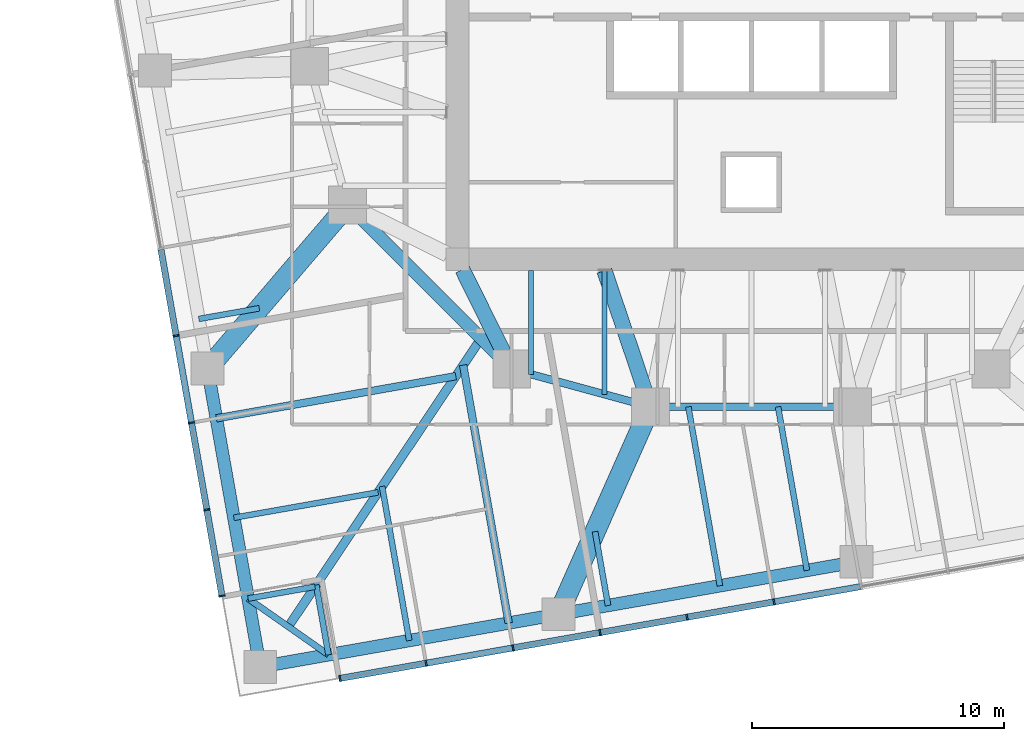
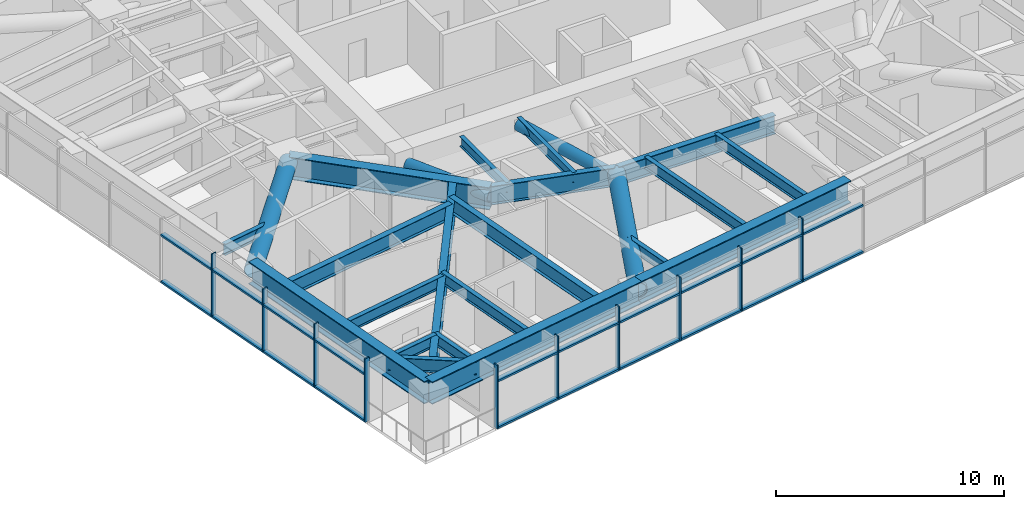
# One storey, part 2 of 17: 34 members, 20 beams, 2 elements without a shape of their own.
"""IFC4 building model written with IfcOpenShell, lengths in metres."""

import ifcopenshell
import ifcopenshell.guid

model = None  # the IFC model being written
_history = None  # IfcOwnerHistory: only IFC2X3 demands one
_inside = {}  # id of a spatial element -> (the spatial element, [elements in it])
_under = {}  # id of a project, library or spatial element -> (it, [spatial elements below it])
_declared = {}  # id of a project -> (the project, [libraries it declares])
_typed = {}  # id of a type object -> (the type object, [elements of that type])
_made_of = {}  # id of a material, layer set ... -> (it, [elements and type objects made of it])


def new_model(schema):
    """Start an empty IFC model of exactly this schema.

    Asked for "IFC4X3", IfcOpenShell would pick the latest addendum, in which some entities
    have other attributes; the version numbers below select the first issue.
    IFC2X3 requires an IfcOwnerHistory on every rooted entity: one is made here for all.
    """
    global model, _history
    if schema == "IFC4X3":
        model = ifcopenshell.file(schema_version=(4, 3, 0, 0))
    else:
        model = ifcopenshell.file(schema=schema)
    _inside.clear()
    _under.clear()
    _declared.clear()
    _typed.clear()
    _made_of.clear()
    _history = None
    if model.schema == "IFC2X3":
        org = make("IfcOrganization", Name="unknown")
        user = make(
            "IfcPersonAndOrganization",
            ThePerson=make("IfcPerson", FamilyName="unknown"),
            TheOrganization=org,
        )
        app = make(
            "IfcApplication",
            ApplicationDeveloper=org,
            Version="unknown",
            ApplicationFullName="unknown",
            ApplicationIdentifier="unknown",
        )
        _history = make(
            "IfcOwnerHistory",
            OwningUser=user,
            OwningApplication=app,
            ChangeAction="ADDED",
            CreationDate=0,
        )
    return model


def make(cls, **values):
    """One entity of the class cls with the attributes given. An attribute that is None is left unset."""
    return model.create_entity(
        cls, **{name: value for name, value in values.items() if value is not None}
    )


def rooted(cls, **values):
    """An entity with a GlobalId (a new one), such as an element, a storey or a relation."""
    return make(cls, GlobalId=ifcopenshell.guid.new(), OwnerHistory=_history, **values)


def si_unit(unit_type, name, prefix=None):
    """IfcSIUnit, for example si_unit("LENGTHUNIT", "METRE", prefix="MILLI")."""
    return make("IfcSIUnit", UnitType=unit_type, Prefix=prefix, Name=name)


def assignment(units):
    """IfcUnitAssignment: the units of a project."""
    return None if units is None else make("IfcUnitAssignment", Units=units)


def point(xyz):
    """IfcCartesianPoint."""
    return None if xyz is None else make("IfcCartesianPoint", Coordinates=xyz)


def direction(xyz):
    """IfcDirection."""
    return None if xyz is None else make("IfcDirection", DirectionRatios=xyz)


def frame(location, z_axis=None, x_axis=None):
    """IfcAxis2Placement3D, a coordinate frame: its origin and axes. An axis left out is left unset."""
    return make(
        "IfcAxis2Placement3D",
        Location=point(location),
        Axis=direction(z_axis),
        RefDirection=direction(x_axis),
    )


def frame_2d(location, x_axis=None):
    """IfcAxis2Placement2D, a coordinate frame in the plane: its origin and x axis."""
    return make(
        "IfcAxis2Placement2D", Location=point(location), RefDirection=direction(x_axis)
    )


def origin():
    """The frame at (0, 0, 0) with its axes left unset."""
    return frame((0.0, 0.0, 0.0))


def origin_2d():
    """The frame at (0, 0) in the plane with its x axis left unset."""
    return frame_2d((0.0, 0.0))


def place(relative_to, where):
    """IfcLocalPlacement: puts the frame where relative to a parent placement (None: the world)."""
    return make(
        "IfcLocalPlacement", PlacementRelTo=relative_to, RelativePlacement=where
    )


def context(
    kind, dimensions, precision=None, world=None, true_north=None, identifier=None
):
    """IfcGeometricRepresentationContext, for example the 3D "Model" context."""
    return make(
        "IfcGeometricRepresentationContext",
        ContextIdentifier=identifier,
        ContextType=kind,
        CoordinateSpaceDimension=dimensions,
        Precision=precision,
        WorldCoordinateSystem=world,
        TrueNorth=true_north,
    )


def subcontext(parent, identifier, kind, view, scale=None):
    """IfcGeometricRepresentationSubContext, for example "Body" below "Model"."""
    return make(
        "IfcGeometricRepresentationSubContext",
        ContextIdentifier=identifier,
        ContextType=kind,
        ParentContext=parent,
        TargetScale=scale,
        TargetView=view,
    )


def project(units=None, contexts=None):
    """IfcProject with its units and contexts."""
    return rooted(
        "IfcProject",
        Name="project",
        RepresentationContexts=contexts,
        UnitsInContext=assignment(units),
    )


def spatial(cls, under=None, at=None, **own):
    """A site, building, storey or space (cls), placed at a placement, below another one or the project."""
    s = rooted(cls, ObjectPlacement=at, **own)
    if under is not None:
        _under.setdefault(under.id(), (under, []))[1].append(s)
    return s


def profile(cls, at=None, kind="AREA", **sizes):
    """A parametric profile (cls). Its sizes go by their IFC names, for example OverallWidth=200.0."""
    return make(cls, ProfileType=kind, Position=at, **sizes)


def rectangle(**sizes):
    """IfcRectangleProfileDef."""
    return profile("IfcRectangleProfileDef", **sizes)


def hollow_circle(**sizes):
    """IfcCircleHollowProfileDef."""
    return profile("IfcCircleHollowProfileDef", **sizes)


def i_section(**sizes):
    """IfcIShapeProfileDef."""
    return profile("IfcIShapeProfileDef", **sizes)


def extrude(swept, where, along, depth):
    """IfcExtrudedAreaSolid: the profile swept, set in the frame where, extruded along a direction by depth."""
    return make(
        "IfcExtrudedAreaSolid",
        SweptArea=swept,
        Position=where,
        ExtrudedDirection=direction(along),
        Depth=depth,
    )


def shape(context_of_items, identifier, shape_type, items):
    """IfcShapeRepresentation: the items that make up one representation, for example the "Body"."""
    return make(
        "IfcShapeRepresentation",
        ContextOfItems=context_of_items,
        RepresentationIdentifier=identifier,
        RepresentationType=shape_type,
        Items=items,
    )


def material(Name=None, Category=None):
    """IfcMaterial."""
    return make("IfcMaterial", Name=Name, Category=Category)


def material_profile(
    of_material, cross_section, Name=None, Category=None, Priority=None
):
    """IfcMaterialProfile: a cross section and its material."""
    return make(
        "IfcMaterialProfile",
        Name=Name,
        Material=of_material,
        Profile=cross_section,
        Priority=Priority,
        Category=Category,
    )


def profile_set(profiles, Name=None, composite=None):
    """IfcMaterialProfileSet."""
    return make(
        "IfcMaterialProfileSet",
        Name=Name,
        MaterialProfiles=profiles,
        CompositeProfile=composite,
    )


def made_of(thing, what):
    """Note that an element or type object is made of a material, layer set ...; save() writes the relation."""
    if what is not None:
        _made_of.setdefault(what.id(), (what, []))[1].append(thing)
    return thing


def type_object(cls, material=None, **own):
    """A type object (cls), such as IfcWallType, which elements share."""
    return made_of(rooted(cls, **own), material)


def element(
    cls,
    number,
    at=None,
    inside=None,
    cuts=None,
    type_object=None,
    material=None,
    context=None,
    identifier="Body",
    shape_type=None,
    held_by="IfcProductDefinitionShape",
    body=None,
    shapes=None,
    **own,
):
    """One element of the class cls, such as IfcWall. Its Tag is "e" and its number.

    at: its placement. inside: the storey or other place that contains it. cuts: it is an
    opening in that element (IfcRelVoidsElement). A single representation is given by context,
    identifier, shape_type and body (its items); several are given by shapes. held_by: the class
    of the entity that holds the representations. save() writes the other relations.
    """
    e = rooted(cls, Tag="e%d" % number, ObjectPlacement=at, **own)
    if body is not None:
        shapes = [shape(context, identifier, shape_type, body)]
    if shapes is not None:
        e.Representation = make(held_by, Representations=shapes)
    if inside is not None:
        _inside.setdefault(inside.id(), (inside, []))[1].append(e)
    if cuts is not None:
        rooted(
            "IfcRelVoidsElement", RelatingBuildingElement=cuts, RelatedOpeningElement=e
        )
    if type_object is not None:
        _typed.setdefault(type_object.id(), (type_object, []))[1].append(e)
    return made_of(e, material)


def aggregate(whole, parts):
    """IfcRelAggregates: a whole, such as a stair, and the parts it consists of."""
    return rooted("IfcRelAggregates", RelatingObject=whole, RelatedObjects=parts)


def save(model, path):
    """Write the relations noted so far, then the file.

    IfcRelAggregates (storeys below a building ...), IfcRelContainedInSpatialStructure (elements
    in a storey), IfcRelDefinesByType, IfcRelAssociatesMaterial and IfcRelDeclares: one each for
    every whole, place, type object, material and project.
    """
    for whole, parts in _under.values():
        aggregate(whole, parts)
    for where, things in _inside.values():
        rooted(
            "IfcRelContainedInSpatialStructure",
            RelatedElements=things,
            RelatingStructure=where,
        )
    for kind, things in _typed.values():
        rooted("IfcRelDefinesByType", RelatedObjects=things, RelatingType=kind)
    for what, things in _made_of.values():
        rooted("IfcRelAssociatesMaterial", RelatedObjects=things, RelatingMaterial=what)
    for by, libraries in _declared.values():
        rooted("IfcRelDeclares", RelatingContext=by, RelatedDefinitions=libraries)
    model.write(path)


model = new_model("IFC4")

# Units and contexts
model_context = context("Model", 3, precision=1e-05, world=origin(), true_north=direction((0.0, 1.0)))
body_context = subcontext(model_context, "Body", "Model", "MODEL_VIEW")
ifc_project = project(units=[si_unit("LENGTHUNIT", "METRE"), si_unit("AREAUNIT", "SQUARE_METRE"), si_unit("VOLUMEUNIT", "CUBIC_METRE"), si_unit("PLANEANGLEUNIT", "RADIAN"), si_unit("MASSUNIT", "GRAM", prefix="KILO")], contexts=[model_context])

# Site, building, storey
site_placement = place(None, origin())
site = spatial("IfcSite", under=ifc_project, at=site_placement, CompositionType="ELEMENT")
building_placement = place(site_placement, origin())
building = spatial("IfcBuilding", under=site, at=building_placement, Name="Torsade Residences", CompositionType="ELEMENT")
storey_placement = place(building_placement, frame((0.0, 0.0, 103.199951171875)))
storey = spatial("IfcBuildingStorey", under=building, at=storey_placement, Name="L28", CompositionType="ELEMENT", Elevation=103.199951171875)

# Beams
ifc_material_1 = material(Name="Steel grade 300", Category="steel")
ifc_material_profile_1 = material_profile(ifc_material_1, i_section(OverallWidth=0.35009765625, OverallDepth=1.199951171875, WebThickness=0.01611328125, FlangeThickness=0.028076171875, at=origin_2d()), Name="1200WB278")
ifc_profile_set_1 = profile_set([ifc_material_profile_1], Name="Steel grade 300")
beam_type_1 = type_object("IfcBeamType", Name="CORNER GIRDER 1200WB278", PredefinedType="BEAM", material=ifc_profile_set_1)
beam_1_placement = place(storey_placement, frame((21.6474609375, 3.7900390625, 2.60009765625), z_axis=(0.555847594236, 0.831284218533, 0.0), x_axis=(-0.831284218533, 0.555847594236, 0.0)))
element("IfcBeam", 1, at=beam_1_placement, inside=storey, type_object=beam_type_1, Name="Corner girder 01 L29", PredefinedType="BEAM", context=body_context, shape_type="SweptSolid", body=[
    extrude(i_section(OverallWidth=0.35009765625, OverallDepth=1.199951171875, WebThickness=0.01611328125, FlangeThickness=0.028076171875, at=origin_2d()), origin(), (0.0, 0.0, 1.0), 13.742431640625),
])
ifc_material_2 = material(Name="Steel grade 300", Category="steel")
ifc_material_profile_2 = material_profile(ifc_material_2, i_section(OverallWidth=0.25, OverallDepth=0.699951171875, WebThickness=0.010009765625, FlangeThickness=0.02001953125, at=origin_2d()), Name="700WB130")
ifc_profile_set_2 = profile_set([ifc_material_profile_2], Name="Steel grade 300")
beam_type_2 = type_object("IfcBeamType", Name="CORNER TRIMMER 700WB130", PredefinedType="BEAM", material=ifc_profile_set_2)
beam_2_placement = place(storey_placement, frame((23.240478515625, 2.674560546875, 2.85009765625), z_axis=(-0.819152285145, 0.573576092373, 0.0), x_axis=(-0.573576092373, -0.819152285145, 0.0)))
element("IfcBeam", 2, at=beam_2_placement, inside=storey, type_object=beam_type_2, Name="Corner trimmer 01 L29", PredefinedType="BEAM", context=body_context, shape_type="SweptSolid", body=[
    extrude(i_section(OverallWidth=0.25, OverallDepth=0.699951171875, WebThickness=0.010009765625, FlangeThickness=0.02001953125, at=origin_2d()), origin(), (0.0, 0.0, 1.0), 3.88916015625),
])

# Curtain wall, members
ifc_material_3 = material(Name="Aluminium and glass", Category="aluminium")
curtain_wall_type = type_object("IfcCurtainWallType", Name="FRITTED GLASS CURTAIN WALL LOW ZONE", PredefinedType="NOTDEFINED", material=ifc_material_3)
curtain_wall_1_placement = place(storey_placement, origin())
curtain_wall_1 = element("IfcCurtainWall", 3, at=curtain_wall_1_placement, inside=storey, type_object=curtain_wall_type, Name="Curtain wall L28 face 1", PredefinedType="NOTDEFINED")
ifc_material_4 = material(Name="Aluminium mullion", Category="aluminium")
ifc_material_profile_3 = material_profile(ifc_material_4, rectangle(XDim=0.25, YDim=0.06494140625, at=origin_2d()), Name="CURTAIN WALL MULLION 250x65")
ifc_profile_set_3 = profile_set([ifc_material_profile_3], Name="Aluminium mullion")
member_type_1 = type_object("IfcMemberType", Name="CURTAIN WALL MULLION 250x65", PredefinedType="MULLION", material=ifc_profile_set_3)
member_1_placement = place(storey_placement, frame((23.692138671875, 1.73876953125, 0.0), z_axis=(0.0, 0.0, 1.0), x_axis=(-0.173648192638, 0.984807750372, 0.0)))
member_1 = element("IfcMember", 4, at=member_1_placement, type_object=member_type_1, Name="Mullion 1", PredefinedType="MULLION", context=body_context, shape_type="SweptSolid", body=[
    extrude(rectangle(XDim=0.25, YDim=0.06494140625, at=origin_2d()), origin(), (0.0, 0.0, 1.0), 3.400146484375),
])
member_2_placement = place(storey_placement, frame((27.107177734375, 2.341064453125, 0.0), z_axis=(0.0, 0.0, 1.0), x_axis=(-0.173648192638, 0.984807750372, 0.0)))
member_2 = element("IfcMember", 5, at=member_2_placement, type_object=member_type_1, Name="Mullion 2", PredefinedType="MULLION", context=body_context, shape_type="SweptSolid", body=[
    extrude(rectangle(XDim=0.25, YDim=0.06494140625, at=origin_2d()), origin(), (0.0, 0.0, 1.0), 3.400146484375),
])
member_3_placement = place(storey_placement, frame((30.553955078125, 2.94873046875, 0.0), z_axis=(0.0, 0.0, 1.0), x_axis=(-0.173648192638, 0.984807750372, 0.0)))
member_3 = element("IfcMember", 6, at=member_3_placement, type_object=member_type_1, Name="Mullion 3", PredefinedType="MULLION", context=body_context, shape_type="SweptSolid", body=[
    extrude(rectangle(XDim=0.25, YDim=0.06494140625, at=origin_2d()), origin(), (0.0, 0.0, 1.0), 3.400146484375),
])
member_4_placement = place(storey_placement, frame((34.000732421875, 3.556396484375, 0.0), z_axis=(0.0, 0.0, 1.0), x_axis=(-0.173648192638, 0.984807750372, 0.0)))
member_4 = element("IfcMember", 7, at=member_4_placement, type_object=member_type_1, Name="Mullion 4", PredefinedType="MULLION", context=body_context, shape_type="SweptSolid", body=[
    extrude(rectangle(XDim=0.25, YDim=0.06494140625, at=origin_2d()), origin(), (0.0, 0.0, 1.0), 3.400146484375),
])
member_5_placement = place(storey_placement, frame((37.447509765625, 4.164306640625, 0.0), z_axis=(0.0, 0.0, 1.0), x_axis=(-0.173648192638, 0.984807750372, 0.0)))
member_5 = element("IfcMember", 8, at=member_5_placement, type_object=member_type_1, Name="Mullion 5", PredefinedType="MULLION", context=body_context, shape_type="SweptSolid", body=[
    extrude(rectangle(XDim=0.25, YDim=0.06494140625, at=origin_2d()), origin(), (0.0, 0.0, 1.0), 3.400146484375),
])
member_6_placement = place(storey_placement, frame((40.894287109375, 4.77197265625, 0.0), z_axis=(0.0, 0.0, 1.0), x_axis=(-0.173648192638, 0.984807750372, 0.0)))
member_6 = element("IfcMember", 9, at=member_6_placement, type_object=member_type_1, Name="Mullion 6", PredefinedType="MULLION", context=body_context, shape_type="SweptSolid", body=[
    extrude(rectangle(XDim=0.25, YDim=0.06494140625, at=origin_2d()), origin(), (0.0, 0.0, 1.0), 3.400146484375),
])

curtain_wall_2_placement = place(storey_placement, origin())
curtain_wall_2 = element("IfcCurtainWall", 10, at=curtain_wall_2_placement, inside=storey, type_object=curtain_wall_type, Name="Curtain wall L28 face 10", PredefinedType="NOTDEFINED")
member_7_placement = place(storey_placement, frame((17.203125, 15.318359375, 0.0), z_axis=(0.0, 0.0, 1.0), x_axis=(0.984807750372, 0.173648192638, 0.0)))
member_7 = element("IfcMember", 11, at=member_7_placement, type_object=member_type_1, Name="Mullion 10", PredefinedType="MULLION", context=body_context, shape_type="SweptSolid", body=[
    extrude(rectangle(XDim=0.25, YDim=0.06494140625, at=origin_2d()), origin(), (0.0, 0.0, 1.0), 3.400146484375),
])
member_8_placement = place(storey_placement, frame((17.810791015625, 11.87158203125, 0.0), z_axis=(0.0, 0.0, 1.0), x_axis=(0.984807750372, 0.173648192638, 0.0)))
member_8 = element("IfcMember", 12, at=member_8_placement, type_object=member_type_1, Name="Mullion 11", PredefinedType="MULLION", context=body_context, shape_type="SweptSolid", body=[
    extrude(rectangle(XDim=0.25, YDim=0.06494140625, at=origin_2d()), origin(), (0.0, 0.0, 1.0), 3.400146484375),
])
member_9_placement = place(storey_placement, frame((18.418701171875, 8.424560546875, 0.0), z_axis=(0.0, 0.0, 1.0), x_axis=(0.984807750372, 0.173648192638, 0.0)))
member_9 = element("IfcMember", 13, at=member_9_placement, type_object=member_type_1, Name="Mullion 12", PredefinedType="MULLION", context=body_context, shape_type="SweptSolid", body=[
    extrude(rectangle(XDim=0.25, YDim=0.06494140625, at=origin_2d()), origin(), (0.0, 0.0, 1.0), 3.400146484375),
])
member_10_placement = place(storey_placement, frame((19.020751953125, 5.009765625, 0.0), z_axis=(0.0, 0.0, 1.0), x_axis=(0.984807750372, 0.173648192638, 0.0)))
member_10 = element("IfcMember", 14, at=member_10_placement, type_object=member_type_1, Name="Mullion 13", PredefinedType="MULLION", context=body_context, shape_type="SweptSolid", body=[
    extrude(rectangle(XDim=0.25, YDim=0.06494140625, at=origin_2d()), origin(), (0.0, 0.0, 1.0), 3.400146484375),
])

# Member
ifc_material_5 = material(Name="Aluminium transom", Category="aluminium")
ifc_material_profile_4 = material_profile(ifc_material_5, rectangle(XDim=0.25, YDim=0.10009765625, at=origin_2d()), Name="CURTAIN WALL TRANSOM 250x100")
ifc_profile_set_4 = profile_set([ifc_material_profile_4], Name="Aluminium transom")
member_type_2 = type_object("IfcMemberType", Name="CURTAIN WALL TRANSOM 250x100", PredefinedType="USERDEFINED", material=ifc_profile_set_4)
member_11_placement = place(storey_placement, frame((23.724365234375, 1.744384765625, 0.050048828125), z_axis=(0.984806666774, 0.173654337918, 0.0), x_axis=(-0.173654337918, 0.984806666774, 0.0)))
member_11 = element("IfcMember", 15, at=member_11_placement, type_object=member_type_2, Name="Transom 1.1", ObjectType="TRANSOM", PredefinedType="USERDEFINED", context=body_context, shape_type="SweptSolid", body=[
    extrude(rectangle(XDim=0.25, YDim=0.10009765625, at=origin_2d()), origin(), (0.0, 0.0, 1.0), 3.40234375),
])

member_12_placement = place(storey_placement, frame((23.724365234375, 1.744384765625, 2.550048828125), z_axis=(0.984806666774, 0.173654337918, 0.0), x_axis=(-0.173654337918, 0.984806666774, 0.0)))
member_12 = element("IfcMember", 16, at=member_12_placement, type_object=member_type_2, Name="Transom 1.2", ObjectType="TRANSOM", PredefinedType="USERDEFINED", context=body_context, shape_type="SweptSolid", body=[
    extrude(rectangle(XDim=0.25, YDim=0.10009765625, at=origin_2d()), origin(), (0.0, 0.0, 1.0), 3.40234375),
])

member_13_placement = place(storey_placement, frame((27.13916015625, 2.3466796875, 0.050048828125), z_axis=(0.984810021497, 0.17363531196, 0.0), x_axis=(-0.17363531196, 0.984810021497, 0.0)))
member_13 = element("IfcMember", 17, at=member_13_placement, type_object=member_type_2, Name="Transom 2.1", ObjectType="TRANSOM", PredefinedType="USERDEFINED", context=body_context, shape_type="SweptSolid", body=[
    extrude(rectangle(XDim=0.25, YDim=0.10009765625, at=origin_2d()), origin(), (0.0, 0.0, 1.0), 3.43505859375),
])

member_14_placement = place(storey_placement, frame((27.13916015625, 2.3466796875, 2.550048828125), z_axis=(0.984810021497, 0.17363531196, 0.0), x_axis=(-0.17363531196, 0.984810021497, 0.0)))
member_14 = element("IfcMember", 18, at=member_14_placement, type_object=member_type_2, Name="Transom 2.2", ObjectType="TRANSOM", PredefinedType="USERDEFINED", context=body_context, shape_type="SweptSolid", body=[
    extrude(rectangle(XDim=0.25, YDim=0.10009765625, at=origin_2d()), origin(), (0.0, 0.0, 1.0), 3.43505859375),
])

member_15_placement = place(storey_placement, frame((30.5859375, 2.954345703125, 0.050048828125), z_axis=(0.984810021497, 0.17363531196, 0.0), x_axis=(-0.17363531196, 0.984810021497, 0.0)))
member_15 = element("IfcMember", 19, at=member_15_placement, type_object=member_type_2, Name="Transom 3.1", ObjectType="TRANSOM", PredefinedType="USERDEFINED", context=body_context, shape_type="SweptSolid", body=[
    extrude(rectangle(XDim=0.25, YDim=0.10009765625, at=origin_2d()), origin(), (0.0, 0.0, 1.0), 3.43505859375),
])

member_16_placement = place(storey_placement, frame((30.5859375, 2.954345703125, 2.550048828125), z_axis=(0.984810021497, 0.17363531196, 0.0), x_axis=(-0.17363531196, 0.984810021497, 0.0)))
member_16 = element("IfcMember", 20, at=member_16_placement, type_object=member_type_2, Name="Transom 3.2", ObjectType="TRANSOM", PredefinedType="USERDEFINED", context=body_context, shape_type="SweptSolid", body=[
    extrude(rectangle(XDim=0.25, YDim=0.10009765625, at=origin_2d()), origin(), (0.0, 0.0, 1.0), 3.43505859375),
])

member_17_placement = place(storey_placement, frame((34.03271484375, 3.562255859375, 0.050048828125), z_axis=(0.984810021497, 0.17363531196, 0.0), x_axis=(-0.17363531196, 0.984810021497, 0.0)))
member_17 = element("IfcMember", 21, at=member_17_placement, type_object=member_type_2, Name="Transom 4.1", ObjectType="TRANSOM", PredefinedType="USERDEFINED", context=body_context, shape_type="SweptSolid", body=[
    extrude(rectangle(XDim=0.25, YDim=0.10009765625, at=origin_2d()), origin(), (0.0, 0.0, 1.0), 3.43505859375),
])

member_18_placement = place(storey_placement, frame((34.03271484375, 3.562255859375, 2.550048828125), z_axis=(0.984810021497, 0.17363531196, 0.0), x_axis=(-0.17363531196, 0.984810021497, 0.0)))
member_18 = element("IfcMember", 22, at=member_18_placement, type_object=member_type_2, Name="Transom 4.2", ObjectType="TRANSOM", PredefinedType="USERDEFINED", context=body_context, shape_type="SweptSolid", body=[
    extrude(rectangle(XDim=0.25, YDim=0.10009765625, at=origin_2d()), origin(), (0.0, 0.0, 1.0), 3.43505859375),
])

member_19_placement = place(storey_placement, frame((37.4794921875, 4.169921875, 0.050048828125), z_axis=(0.984810021497, 0.17363531196, 0.0), x_axis=(-0.17363531196, 0.984810021497, 0.0)))
member_19 = element("IfcMember", 23, at=member_19_placement, type_object=member_type_2, Name="Transom 5.1", ObjectType="TRANSOM", PredefinedType="USERDEFINED", context=body_context, shape_type="SweptSolid", body=[
    extrude(rectangle(XDim=0.25, YDim=0.10009765625, at=origin_2d()), origin(), (0.0, 0.0, 1.0), 3.43505859375),
])

member_20_placement = place(storey_placement, frame((37.4794921875, 4.169921875, 2.550048828125), z_axis=(0.984810021497, 0.17363531196, 0.0), x_axis=(-0.17363531196, 0.984810021497, 0.0)))
member_20 = element("IfcMember", 24, at=member_20_placement, type_object=member_type_2, Name="Transom 5.2", ObjectType="TRANSOM", PredefinedType="USERDEFINED", context=body_context, shape_type="SweptSolid", body=[
    extrude(rectangle(XDim=0.25, YDim=0.10009765625, at=origin_2d()), origin(), (0.0, 0.0, 1.0), 3.43505859375),
])

member_21_placement = place(storey_placement, frame((40.92626953125, 4.777587890625, 0.050048828125), z_axis=(0.98479786563, 0.173704242465, 0.0), x_axis=(-0.173704242465, 0.98479786563, 0.0)))
member_21 = element("IfcMember", 25, at=member_21_placement, type_object=member_type_2, Name="Transom 6.1", ObjectType="TRANSOM", PredefinedType="USERDEFINED", context=body_context, shape_type="SweptSolid", body=[
    extrude(rectangle(XDim=0.25, YDim=0.10009765625, at=origin_2d()), origin(), (0.0, 0.0, 1.0), 3.43505859375),
])

member_22_placement = place(storey_placement, frame((40.92626953125, 4.777587890625, 2.550048828125), z_axis=(0.98479786563, 0.173704242465, 0.0), x_axis=(-0.173704242465, 0.98479786563, 0.0)))
member_22 = element("IfcMember", 26, at=member_22_placement, type_object=member_type_2, Name="Transom 6.2", ObjectType="TRANSOM", PredefinedType="USERDEFINED", context=body_context, shape_type="SweptSolid", body=[
    extrude(rectangle(XDim=0.25, YDim=0.10009765625, at=origin_2d()), origin(), (0.0, 0.0, 1.0), 3.43505859375),
])

aggregate(curtain_wall_1, [member_1, member_2, member_3, member_4, member_5, member_6, member_11, member_12, member_13, member_14, member_15, member_16, member_17, member_18, member_19, member_20, member_21, member_22])

member_23_placement = place(storey_placement, frame((16.60107421875, 18.733154296875, 0.050048828125), z_axis=(0.17363531196, -0.984810021497, 0.0), x_axis=(0.984810021497, 0.17363531196, 0.0)))
member_23 = element("IfcMember", 27, at=member_23_placement, type_object=member_type_2, Name="Transom 9.1", ObjectType="TRANSOM", PredefinedType="USERDEFINED", context=body_context, shape_type="SweptSolid", body=[
    extrude(rectangle(XDim=0.25, YDim=0.10009765625, at=origin_2d()), origin(), (0.0, 0.0, 1.0), 3.43505859375),
])

member_24_placement = place(storey_placement, frame((16.60107421875, 18.733154296875, 2.550048828125), z_axis=(0.17363531196, -0.984810021497, 0.0), x_axis=(0.984810021497, 0.17363531196, 0.0)))
member_24 = element("IfcMember", 28, at=member_24_placement, type_object=member_type_2, Name="Transom 9.2", ObjectType="TRANSOM", PredefinedType="USERDEFINED", context=body_context, shape_type="SweptSolid", body=[
    extrude(rectangle(XDim=0.25, YDim=0.10009765625, at=origin_2d()), origin(), (0.0, 0.0, 1.0), 3.43505859375),
])

member_25_placement = place(storey_placement, frame((17.208740234375, 15.286376953125, 0.050048828125), z_axis=(0.17363531196, -0.984810021497, 0.0), x_axis=(0.984810021497, 0.17363531196, 0.0)))
member_25 = element("IfcMember", 29, at=member_25_placement, type_object=member_type_2, Name="Transom 10.1", ObjectType="TRANSOM", PredefinedType="USERDEFINED", context=body_context, shape_type="SweptSolid", body=[
    extrude(rectangle(XDim=0.25, YDim=0.10009765625, at=origin_2d()), origin(), (0.0, 0.0, 1.0), 3.43505859375),
])

member_26_placement = place(storey_placement, frame((17.208740234375, 15.286376953125, 2.550048828125), z_axis=(0.17363531196, -0.984810021497, 0.0), x_axis=(0.984810021497, 0.17363531196, 0.0)))
member_26 = element("IfcMember", 30, at=member_26_placement, type_object=member_type_2, Name="Transom 10.2", ObjectType="TRANSOM", PredefinedType="USERDEFINED", context=body_context, shape_type="SweptSolid", body=[
    extrude(rectangle(XDim=0.25, YDim=0.10009765625, at=origin_2d()), origin(), (0.0, 0.0, 1.0), 3.43505859375),
])

member_27_placement = place(storey_placement, frame((17.81640625, 11.839599609375, 0.050048828125), z_axis=(0.173704242465, -0.98479786563, 0.0), x_axis=(0.98479786563, 0.173704242465, 0.0)))
member_27 = element("IfcMember", 31, at=member_27_placement, type_object=member_type_2, Name="Transom 11.1", ObjectType="TRANSOM", PredefinedType="USERDEFINED", context=body_context, shape_type="SweptSolid", body=[
    extrude(rectangle(XDim=0.25, YDim=0.10009765625, at=origin_2d()), origin(), (0.0, 0.0, 1.0), 3.43505859375),
])

member_28_placement = place(storey_placement, frame((17.81640625, 11.839599609375, 2.550048828125), z_axis=(0.173704242465, -0.98479786563, 0.0), x_axis=(0.98479786563, 0.173704242465, 0.0)))
member_28 = element("IfcMember", 32, at=member_28_placement, type_object=member_type_2, Name="Transom 11.2", ObjectType="TRANSOM", PredefinedType="USERDEFINED", context=body_context, shape_type="SweptSolid", body=[
    extrude(rectangle(XDim=0.25, YDim=0.10009765625, at=origin_2d()), origin(), (0.0, 0.0, 1.0), 3.43505859375),
])

member_29_placement = place(storey_placement, frame((18.42431640625, 8.392578125, 0.050048828125), z_axis=(0.173642067011, -0.984808830466, 0.0), x_axis=(0.984808830466, 0.173642067011, 0.0)))
member_29 = element("IfcMember", 33, at=member_29_placement, type_object=member_type_2, Name="Transom 12.1", ObjectType="TRANSOM", PredefinedType="USERDEFINED", context=body_context, shape_type="SweptSolid", body=[
    extrude(rectangle(XDim=0.25, YDim=0.10009765625, at=origin_2d()), origin(), (0.0, 0.0, 1.0), 3.402587890625),
])

member_30_placement = place(storey_placement, frame((18.42431640625, 8.392578125, 2.550048828125), z_axis=(0.173642067011, -0.984808830466, 0.0), x_axis=(0.984808830466, 0.173642067011, 0.0)))
member_30 = element("IfcMember", 34, at=member_30_placement, type_object=member_type_2, Name="Transom 12.2", ObjectType="TRANSOM", PredefinedType="USERDEFINED", context=body_context, shape_type="SweptSolid", body=[
    extrude(rectangle(XDim=0.25, YDim=0.10009765625, at=origin_2d()), origin(), (0.0, 0.0, 1.0), 3.402587890625),
])

aggregate(curtain_wall_2, [member_7, member_8, member_9, member_10, member_23, member_24, member_25, member_26, member_27, member_28, member_29, member_30])

# Beams
ifc_material_6 = material(Name="Steel grade 300", Category="steel")
ifc_material_profile_5 = material_profile(ifc_material_6, i_section(OverallWidth=0.208984375, OverallDepth=0.528076171875, WebThickness=0.009521484375, FlangeThickness=0.01318359375, FilletRadius=0.013916015625, at=origin_2d()), Name="530UB82.0")
ifc_profile_set_5 = profile_set([ifc_material_profile_5], Name="Steel grade 300")
beam_type_3 = type_object("IfcBeamType", Name="INNER FLOOR BEAM 530UB82.0", PredefinedType="JOIST", material=ifc_profile_set_5)
beam_3_placement = place(storey_placement, frame((34.175048828125, 17.89990234375, 2.93603515625), z_axis=(0.0, -1.0, 0.0), x_axis=(1.0, 0.0, 0.0)))
element("IfcBeam", 35, at=beam_3_placement, inside=storey, type_object=beam_type_3, Name="Inner floor beam IS06 L29", PredefinedType="JOIST", context=body_context, shape_type="SweptSolid", body=[
    extrude(i_section(OverallWidth=0.208984375, OverallDepth=0.528076171875, WebThickness=0.009521484375, FlangeThickness=0.01318359375, FilletRadius=0.013916015625, at=origin_2d()), origin(), (0.0, 0.0, 1.0), 4.902099609375),
])
beam_4_placement = place(storey_placement, frame((31.262451171875, 17.89990234375, 2.93603515625), z_axis=(0.0, -1.0, 0.0), x_axis=(1.0, 0.0, 0.0)))
element("IfcBeam", 36, at=beam_4_placement, inside=storey, type_object=beam_type_3, Name="Inner floor beam IS07 L29", PredefinedType="JOIST", context=body_context, shape_type="SweptSolid", body=[
    extrude(i_section(OverallWidth=0.208984375, OverallDepth=0.528076171875, WebThickness=0.009521484375, FlangeThickness=0.01318359375, FilletRadius=0.013916015625, at=origin_2d()), origin(), (0.0, 0.0, 1.0), 4.10791015625),
])
ifc_material_7 = material(Name="Steel grade 300", Category="steel")
ifc_material_profile_6 = material_profile(ifc_material_7, i_section(OverallWidth=0.5, OverallDepth=1.199951171875, WebThickness=0.01611328125, FlangeThickness=0.0400390625, at=origin_2d()), Name="1200WB455")
ifc_profile_set_6 = profile_set([ifc_material_profile_6], Name="Steel grade 300")
beam_type_4 = type_object("IfcBeamType", Name="RING CORNER GIRDER 1200WB455", PredefinedType="BEAM", material=ifc_profile_set_6)
beam_5_placement = place(storey_placement, frame((24.0, 20.5, 2.60009765625), z_axis=(0.707106781187, -0.707106781187, 0.0), x_axis=(0.707106781187, 0.707106781187, 0.0)))
element("IfcBeam", 37, at=beam_5_placement, inside=storey, type_object=beam_type_4, Name="Ring girder IR11 L29", PredefinedType="BEAM", context=body_context, shape_type="SweptSolid", body=[
    extrude(i_section(OverallWidth=0.5, OverallDepth=1.199951171875, WebThickness=0.01611328125, FlangeThickness=0.0400390625, at=origin_2d()), origin(), (0.0, 0.0, 1.0), 9.1923828125),
])
ifc_material_8 = material(Name="Steel grade 300", Category="steel")
ifc_material_profile_7 = material_profile(ifc_material_8, i_section(OverallWidth=0.300048828125, OverallDepth=1.0, WebThickness=0.01611328125, FlangeThickness=0.028076171875, at=origin_2d()), Name="1000WB215")
ifc_profile_set_7 = profile_set([ifc_material_profile_7], Name="Steel grade 300")
beam_type_5 = type_object("IfcBeamType", Name="RING GIRDER 1000WB215", PredefinedType="BEAM", material=ifc_profile_set_7)
beam_6_placement = place(storey_placement, frame((30.5, 14.0, 2.699951171875), z_axis=(0.964763821238, -0.263117405792, 0.0), x_axis=(0.263117405792, 0.964763821238, 0.0)))
element("IfcBeam", 38, at=beam_6_placement, inside=storey, type_object=beam_type_5, Name="Ring girder IR12 L29", PredefinedType="BEAM", context=body_context, shape_type="SweptSolid", body=[
    extrude(i_section(OverallWidth=0.300048828125, OverallDepth=1.0, WebThickness=0.01611328125, FlangeThickness=0.028076171875, at=origin_2d()), origin(), (0.0, 0.0, 1.0), 5.700927734375),
])
beam_7_placement = place(storey_placement, frame((36.0, 12.5, 2.699951171875), z_axis=(1.0, 0.0, 0.0), x_axis=(0.0, 1.0, 0.0)))
element("IfcBeam", 39, at=beam_7_placement, inside=storey, type_object=beam_type_5, Name="Ring girder IR13 L29", PredefinedType="BEAM", context=body_context, shape_type="SweptSolid", body=[
    extrude(i_section(OverallWidth=0.300048828125, OverallDepth=1.0, WebThickness=0.01611328125, FlangeThickness=0.028076171875, at=origin_2d()), origin(), (0.0, 0.0, 1.0), 8.0),
])
ifc_material_9 = material(Name="Steel grade 300", Category="steel")
ifc_material_profile_8 = material_profile(ifc_material_9, i_section(OverallWidth=0.22900390625, OverallDepth=0.612060546875, WebThickness=0.011962890625, FlangeThickness=0.01953125, FilletRadius=0.013916015625, at=origin_2d()), Name="610UB125")
ifc_profile_set_8 = profile_set([ifc_material_profile_8], Name="Steel grade 300")
beam_type_6 = type_object("IfcBeamType", Name="SECONDARY BEAM 610UB125", PredefinedType="JOIST", material=ifc_profile_set_8)
beam_8_placement = place(storey_placement, frame((23.240478515625, 2.674560546875, 2.89404296875), z_axis=(-0.173646578627, 0.984808034965, 0.0), x_axis=(-0.984808034965, -0.173646578627, 0.0)))
element("IfcBeam", 40, at=beam_8_placement, inside=storey, type_object=beam_type_6, Name="Floor beam FS01 L29", PredefinedType="JOIST", context=body_context, shape_type="SweptSolid", body=[
    extrude(i_section(OverallWidth=0.22900390625, OverallDepth=0.612060546875, WebThickness=0.011962890625, FlangeThickness=0.01953125, FilletRadius=0.013916015625, at=origin_2d()), origin(), (0.0, 0.0, 1.0), 2.810546875),
])
beam_9_placement = place(storey_placement, frame((26.44091796875, 3.239013671875, 2.89404296875), z_axis=(-0.173646127458, 0.984808114517, 0.0), x_axis=(-0.984808114517, -0.173646127458, 0.0)))
element("IfcBeam", 41, at=beam_9_placement, inside=storey, type_object=beam_type_6, Name="Floor beam FS02 L29", PredefinedType="JOIST", context=body_context, shape_type="SweptSolid", body=[
    extrude(i_section(OverallWidth=0.22900390625, OverallDepth=0.612060546875, WebThickness=0.011962890625, FlangeThickness=0.01953125, FilletRadius=0.013916015625, at=origin_2d()), origin(), (0.0, 0.0, 1.0), 6.203125),
])
beam_10_placement = place(storey_placement, frame((34.319580078125, 4.628173828125, 2.89404296875), z_axis=(-0.17370564578, 0.984797618104, 0.0), x_axis=(-0.984797618104, -0.17370564578, 0.0)))
element("IfcBeam", 42, at=beam_10_placement, inside=storey, type_object=beam_type_6, Name="Floor beam FS04 L29", PredefinedType="JOIST", context=body_context, shape_type="SweptSolid", body=[
    extrude(i_section(OverallWidth=0.22900390625, OverallDepth=0.612060546875, WebThickness=0.011962890625, FlangeThickness=0.01953125, FilletRadius=0.013916015625, at=origin_2d()), origin(), (0.0, 0.0, 1.0), 2.97119140625),
])
beam_11_placement = place(storey_placement, frame((38.751220703125, 5.40966796875, 2.89404296875), z_axis=(-0.173651855324, 0.984807104535, 0.0), x_axis=(-0.984807104535, -0.173651855324, 0.0)))
element("IfcBeam", 43, at=beam_11_placement, inside=storey, type_object=beam_type_6, Name="Floor beam FS05 L29", PredefinedType="JOIST", context=body_context, shape_type="SweptSolid", body=[
    extrude(i_section(OverallWidth=0.22900390625, OverallDepth=0.612060546875, WebThickness=0.011962890625, FlangeThickness=0.01953125, FilletRadius=0.013916015625, at=origin_2d()), origin(), (0.0, 0.0, 1.0), 7.19970703125),
])
beam_12_placement = place(storey_placement, frame((42.197998046875, 6.017333984375, 2.89404296875), z_axis=(-0.173647806501, 0.984807818459, 0.0), x_axis=(-0.984807818459, -0.173647806501, 0.0)))
element("IfcBeam", 44, at=beam_12_placement, inside=storey, type_object=beam_type_6, Name="Floor beam FS06 L29", PredefinedType="JOIST", context=body_context, shape_type="SweptSolid", body=[
    extrude(i_section(OverallWidth=0.22900390625, OverallDepth=0.612060546875, WebThickness=0.011962890625, FlangeThickness=0.01953125, FilletRadius=0.013916015625, at=origin_2d()), origin(), (0.0, 0.0, 1.0), 6.582763671875),
])
beam_13_placement = place(storey_placement, frame((18.10107421875, 15.984375, 2.89404296875), z_axis=(0.984800736156, 0.173687967535, 0.0), x_axis=(-0.173687967535, 0.984800736156, 0.0)))
element("IfcBeam", 45, at=beam_13_placement, inside=storey, type_object=beam_type_6, Name="Floor beam FW09 L29", PredefinedType="JOIST", context=body_context, shape_type="SweptSolid", body=[
    extrude(i_section(OverallWidth=0.22900390625, OverallDepth=0.612060546875, WebThickness=0.011962890625, FlangeThickness=0.01953125, FilletRadius=0.013916015625, at=origin_2d()), origin(), (0.0, 0.0, 1.0), 2.431640625),
])
beam_14_placement = place(storey_placement, frame((19.490234375, 8.10595703125, 2.89404296875), z_axis=(0.984808104745, 0.17364618288, 0.0), x_axis=(-0.17364618288, 0.984808104745, 0.0)))
element("IfcBeam", 46, at=beam_14_placement, inside=storey, type_object=beam_type_6, Name="Floor beam FW11 L29", PredefinedType="JOIST", context=body_context, shape_type="SweptSolid", body=[
    extrude(i_section(OverallWidth=0.22900390625, OverallDepth=0.612060546875, WebThickness=0.011962890625, FlangeThickness=0.01953125, FilletRadius=0.013916015625, at=origin_2d()), origin(), (0.0, 0.0, 1.0), 5.80517578125),
])
beam_15_placement = place(storey_placement, frame((20.0546875, 4.9052734375, 2.89404296875), z_axis=(0.984803637964, 0.173671513648, 0.0), x_axis=(-0.173671513648, 0.984803637964, 0.0)))
element("IfcBeam", 47, at=beam_15_placement, inside=storey, type_object=beam_type_6, Name="Floor beam FW12 L29", PredefinedType="JOIST", context=body_context, shape_type="SweptSolid", body=[
    extrude(i_section(OverallWidth=0.22900390625, OverallDepth=0.612060546875, WebThickness=0.011962890625, FlangeThickness=0.01953125, FilletRadius=0.013916015625, at=origin_2d()), origin(), (0.0, 0.0, 1.0), 2.692138671875),
])
ifc_material_10 = material(Name="Steel grade 300", Category="steel")
ifc_material_profile_9 = material_profile(ifc_material_10, i_section(OverallWidth=0.300048828125, OverallDepth=0.800048828125, WebThickness=0.010009765625, FlangeThickness=0.02001953125, at=origin_2d()), Name="800WB146")
ifc_profile_set_9 = profile_set([ifc_material_profile_9], Name="Steel grade 300")
beam_type_7 = type_object("IfcBeamType", Name="SECONDARY BEAM 800WB146", PredefinedType="JOIST", material=ifc_profile_set_9)
beam_16_placement = place(storey_placement, frame((30.380126953125, 3.93359375, 2.800048828125), z_axis=(-0.173641751202, 0.98480888615, 0.0), x_axis=(-0.98480888615, -0.173641751202, 0.0)))
element("IfcBeam", 48, at=beam_16_placement, inside=storey, type_object=beam_type_7, Name="Floor beam FS03 L29", PredefinedType="JOIST", context=body_context, shape_type="SweptSolid", body=[
    extrude(i_section(OverallWidth=0.300048828125, OverallDepth=0.800048828125, WebThickness=0.010009765625, FlangeThickness=0.02001953125, at=origin_2d()), origin(), (0.0, 0.0, 1.0), 10.379150390625),
])
beam_17_placement = place(storey_placement, frame((18.795654296875, 12.045166015625, 2.800048828125), z_axis=(0.984809307086, 0.173639363846, 0.0), x_axis=(-0.173639363846, 0.984809307086, 0.0)))
element("IfcBeam", 49, at=beam_17_placement, inside=storey, type_object=beam_type_7, Name="Floor beam FW10 L29", PredefinedType="JOIST", context=body_context, shape_type="SweptSolid", body=[
    extrude(i_section(OverallWidth=0.300048828125, OverallDepth=0.800048828125, WebThickness=0.010009765625, FlangeThickness=0.02001953125, at=origin_2d()), origin(), (0.0, 0.0, 1.0), 9.636962890625),
])

# Members
ifc_material_11 = material(Name="Steel grade 450", Category="steel")
ifc_material_profile_10 = material_profile(ifc_material_11, hollow_circle(Radius=0.304931640625, WallThickness=0.01611328125, at=origin_2d()), Name="610.0x16.0CHS")
ifc_profile_set_10 = profile_set([ifc_material_profile_10], Name="Steel grade 450")
member_type_3 = type_object("IfcMemberType", Name="TRANSFER FLOOR BRACE 610.0x16.0CHS", PredefinedType="BRACE", material=ifc_profile_set_10)
member_31_placement = place(storey_placement, frame((30.5, 14.0, 2.60009765625), z_axis=(-0.443105036702, 0.896469701914, 0.0), x_axis=(-0.896469701914, -0.443105036702, 0.0)))
element("IfcMember", 50, at=member_31_placement, inside=storey, type_object=member_type_3, Name="Transfer floor brace TT3 bottom IR12C", PredefinedType="BRACE", context=body_context, shape_type="SweptSolid", body=[
    extrude(hollow_circle(Radius=0.304931640625, WallThickness=0.01611328125, at=origin_2d()), origin(), (0.0, 0.0, 1.0), 4.40234375),
])
member_32_placement = place(storey_placement, frame((36.0, 12.5, 2.60009765625), z_axis=(-0.319999474368, 0.946855969774, 0.032620682203), x_axis=(-0.947360151124, -0.320169867513, 0.0)))
element("IfcMember", 51, at=member_32_placement, inside=storey, type_object=member_type_3, Name="Transfer floor brace TT3 bottom IR13IS06", PredefinedType="BRACE", context=body_context, shape_type="SweptSolid", body=[
    extrude(hollow_circle(Radius=0.304931640625, WallThickness=0.01611328125, at=origin_2d()), origin(), (0.0, 0.0, 1.0), 5.702880859375),
])
ifc_material_12 = material(Name="Steel grade 450", Category="steel")
ifc_material_profile_11 = material_profile(ifc_material_12, hollow_circle(Radius=0.406494140625, WallThickness=0.02490234375, at=origin_2d()), Name="813.0x25.0CHS")
ifc_profile_set_11 = profile_set([ifc_material_profile_11], Name="Steel grade 450")
member_type_4 = type_object("IfcMemberType", Name="TRANSFER FLOOR STRUT 813.0x25.0CHS", PredefinedType="STRUT", material=ifc_profile_set_11)
member_33_placement = place(storey_placement, frame((32.349853515625, 4.28076171875, 2.800048828125), z_axis=(0.405873976228, 0.913929053822, 0.0), x_axis=(-0.913929053822, 0.405873976228, 0.0)))
element("IfcMember", 52, at=member_33_placement, inside=storey, type_object=member_type_4, Name="Transfer floor strut TT3 bottom 02IR13", PredefinedType="STRUT", context=body_context, shape_type="SweptSolid", body=[
    extrude(hollow_circle(Radius=0.406494140625, WallThickness=0.02490234375, at=origin_2d()), origin(), (0.0, 0.0, 1.0), 8.993408203125),
])
member_34_placement = place(storey_placement, frame((18.448486328125, 14.0146484375, 2.800048828125), z_axis=(0.650294298415, 0.759682384585, 0.0), x_axis=(-0.759682384585, 0.650294298415, 0.0)))
element("IfcMember", 53, at=member_34_placement, inside=storey, type_object=member_type_4, Name="Transfer floor strut TT3 bottom 16IR11", PredefinedType="STRUT", context=body_context, shape_type="SweptSolid", body=[
    extrude(hollow_circle(Radius=0.406494140625, WallThickness=0.02490234375, at=origin_2d()), origin(), (0.0, 0.0, 1.0), 8.536865234375),
])

# Beams
ifc_material_13 = material(Name="Steel grade 350", Category="steel")
ifc_material_profile_12 = material_profile(ifc_material_13, i_section(OverallWidth=0.5, OverallDepth=1.199951171875, WebThickness=0.031982421875, FlangeThickness=0.050048828125, at=origin_2d()), Name="1200x500x50x32WPG")
ifc_profile_set_12 = profile_set([ifc_material_profile_12], Name="Steel grade 350")
beam_type_8 = type_object("IfcBeamType", Name="TRANSFER TRUSS CHORD 1200x500x50x32WPG", PredefinedType="USERDEFINED", material=ifc_profile_set_12)
for number, where, z_axis, x_axis, name in (
    (54, (20.5322265625, 2.197021484375, 2.800048828125), (0.984808127031, 0.173646056486, 0.0), (-0.173646056486, 0.984808127031, 0.0), "Transfer truss TT3 bottom chord 01"),
    (55, (32.349853515625, 4.28076171875, 2.800048828125), (0.984808127031, 0.173646056486, 0.0), (-0.173646056486, 0.984808127031, 0.0), "Transfer truss TT3 bottom chord 02"),
    (56, (18.448486328125, 14.0146484375, 2.800048828125), (0.173646056486, -0.984808127031, 0.0), (0.984808127031, 0.173646056486, 0.0), "Transfer truss TT3 bottom chord 16"),
):
    element("IfcBeam", number, at=place(storey_placement, frame(where, z_axis=z_axis, x_axis=x_axis)), inside=storey, type_object=beam_type_8, Name=name, ObjectType="TRANSFER TRUSS CHORD", PredefinedType="USERDEFINED", context=body_context, shape_type="SweptSolid", body=[
        extrude(i_section(OverallWidth=0.5, OverallDepth=1.199951171875, WebThickness=0.031982421875, FlangeThickness=0.050048828125, at=origin_2d()), origin(), (0.0, 0.0, 1.0), 12.0),
    ])

save(model, "model.ifc")
